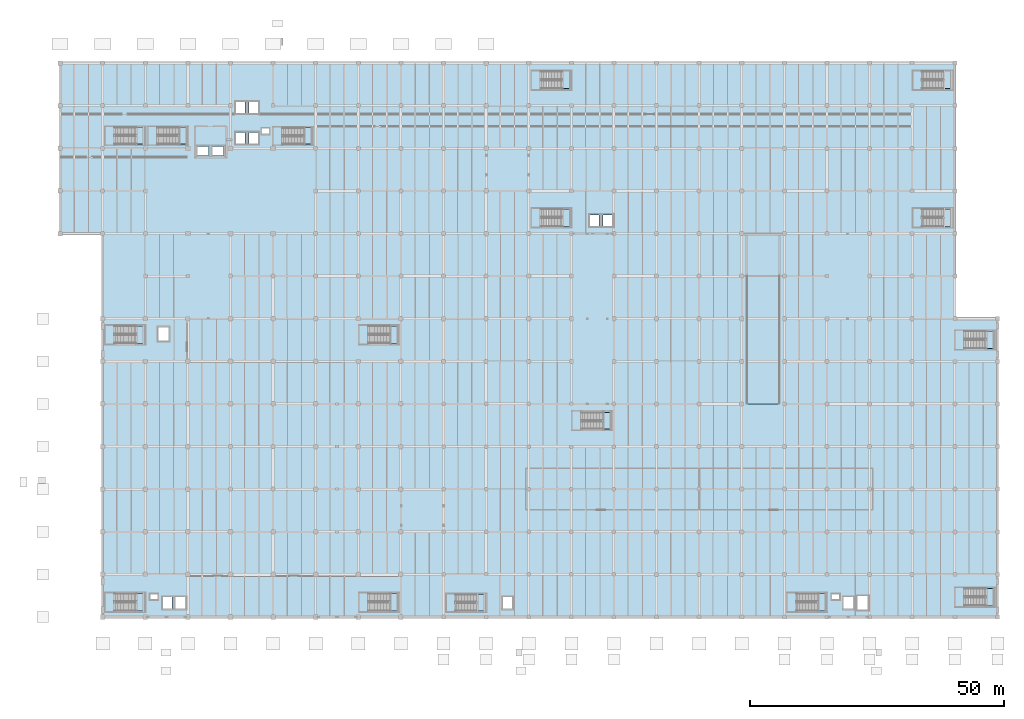
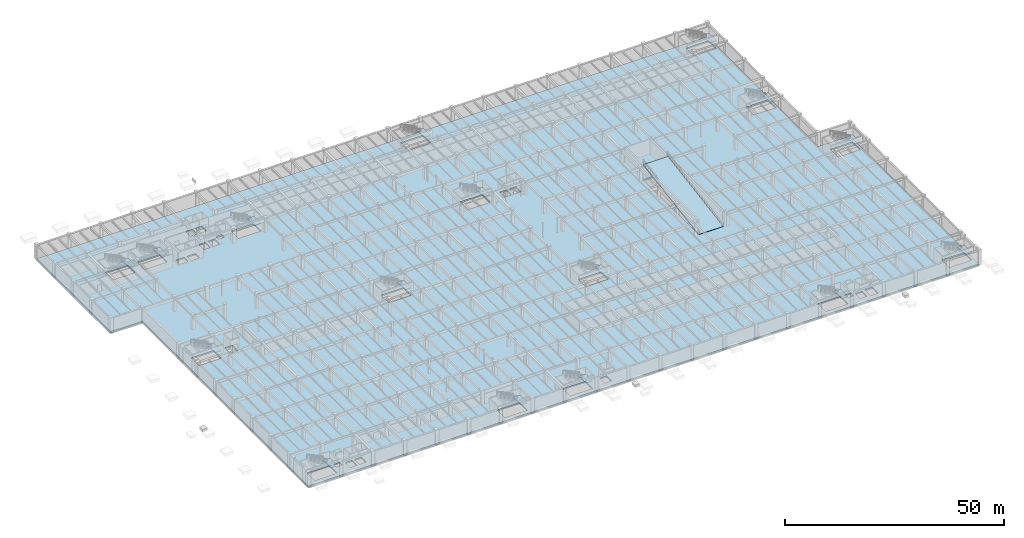
# One storey, part 27 of 63: 18 slabs, 16 elements without a shape of their own.
"""IFC4 building model written with IfcOpenShell, lengths in metres."""

from ifc_helpers import new_model, si_unit, direction, frame, origin, place, context, subcontext, project, spatial, polyline, outline, extrude, material, layer, layer_set, type_object, element, aggregate, save


model = new_model("IFC4")

# Units and contexts
model_context = context("Model", 3, precision=1e-05, world=origin(), true_north=direction((0.0, 1.0)))
body_context = subcontext(model_context, "Body", "Model", "MODEL_VIEW")
ifc_project = project(units=[si_unit("LENGTHUNIT", "METRE"), si_unit("AREAUNIT", "SQUARE_METRE"), si_unit("VOLUMEUNIT", "CUBIC_METRE"), si_unit("PLANEANGLEUNIT", "RADIAN"), si_unit("MASSUNIT", "GRAM", prefix="KILO")], contexts=[model_context])

# Site, building, storey
site_placement = place(None, origin())
site = spatial("IfcSite", under=ifc_project, at=site_placement, CompositionType="ELEMENT")
building_placement = place(site_placement, origin())
building = spatial("IfcBuilding", under=site, at=building_placement, Name="Cumbredor Promenade Congress Hotel", CompositionType="ELEMENT")
storey_placement = place(building_placement, frame((0.0, 0.0, -4.199951171875)))
storey = spatial("IfcBuildingStorey", under=building, at=storey_placement, Name="B01", CompositionType="ELEMENT", Elevation=-4.199951171875)

# Stair, slab
ifc_material = material(Name="Concrete C40/50", Category="concrete")
stair_type_1 = type_object("IfcStairType", Name="Protected Dog-Leg Exit Stair ST-T2 1600mm", PredefinedType="HALF_TURN_STAIR", material=ifc_material)
stair_1_placement = place(storey_placement, origin())
stair_1 = element("IfcStair", 1, at=stair_1_placement, inside=storey, type_object=stair_type_1, Name="B01 Protected Exit Stair ST-01", PredefinedType="HALF_TURN_STAIR")
ifc_layer_1 = layer(ifc_material, 0.199951171875, Name="Concrete C40/50", Category="concrete")
ifc_layer_set_1 = layer_set([ifc_layer_1], Name="Concrete C40/50")
slab_type_1 = type_object("IfcSlabType", Name="Concrete Stair Landing Slab 200mm", PredefinedType="LANDING", material=ifc_layer_set_1)
slab_1_placement = place(storey_placement, frame((0.0, 0.0, 1.89990234375)))
slab_1 = element("IfcSlab", 2, at=slab_1_placement, type_object=slab_type_1, Name="ST-01 landing 1", PredefinedType="LANDING", context=body_context, shape_type="SweptSolid", body=[
    extrude(outline(polyline([(14.949951171875, 101.6201171875), (16.64990234375, 101.6201171875), (16.64990234375, 104.969970703125), (14.949951171875, 104.969970703125), (14.949951171875, 101.6201171875)])), origin(), (0.0, 0.0, 1.0), 0.199951171875),
])
aggregate(stair_1, [slab_1])

stair_2_placement = place(storey_placement, origin())
stair_2 = element("IfcStair", 3, at=stair_2_placement, inside=storey, type_object=stair_type_1, Name="B01 Protected Exit Stair ST-02", PredefinedType="HALF_TURN_STAIR")
slab_2_placement = place(storey_placement, frame((0.0, 0.0, 1.89990234375)))
slab_2 = element("IfcSlab", 4, at=slab_2_placement, type_object=slab_type_1, Name="ST-02 landing 1", PredefinedType="LANDING", context=body_context, shape_type="SweptSolid", body=[
    extrude(outline(polyline([(23.35009765625, 101.6201171875), (25.050048828125, 101.6201171875), (25.050048828125, 104.969970703125), (23.35009765625, 104.969970703125), (23.35009765625, 101.6201171875)])), origin(), (0.0, 0.0, 1.0), 0.199951171875),
])
aggregate(stair_2, [slab_2])

stair_type_2 = type_object("IfcStairType", Name="Protected Dog-Leg Exit Stair ST-T1 1550mm", PredefinedType="HALF_TURN_STAIR", material=ifc_material)
stair_3_placement = place(storey_placement, origin())
stair_3 = element("IfcStair", 5, at=stair_3_placement, inside=storey, type_object=stair_type_2, Name="B01 Protected Exit Stair ST-03", PredefinedType="HALF_TURN_STAIR")
slab_3_placement = place(storey_placement, frame((0.0, 0.0, 1.89990234375)))
slab_3 = element("IfcSlab", 6, at=slab_3_placement, type_object=slab_type_1, Name="ST-03 landing 1", PredefinedType="LANDING", context=body_context, shape_type="SweptSolid", body=[
    extrude(outline(polyline([(48.0, 101.6201171875), (49.699951171875, 101.6201171875), (49.699951171875, 104.8701171875), (48.0, 104.8701171875), (48.0, 101.6201171875)])), origin(), (0.0, 0.0, 1.0), 0.199951171875),
])
aggregate(stair_3, [slab_3])

stair_type_3 = type_object("IfcStairType", Name="Protected Dog-Leg Exit Stair ST-T3 1650mm", PredefinedType="HALF_TURN_STAIR", material=ifc_material)
stair_4_placement = place(storey_placement, origin())
stair_4 = element("IfcStair", 7, at=stair_4_placement, inside=storey, type_object=stair_type_3, Name="B01 Protected Exit Stair ST-04", PredefinedType="HALF_TURN_STAIR")
slab_4_placement = place(storey_placement, frame((0.0, 0.0, 1.89990234375)))
slab_4 = element("IfcSlab", 8, at=slab_4_placement, type_object=slab_type_1, Name="ST-04 landing 1", PredefinedType="LANDING", context=body_context, shape_type="SweptSolid", body=[
    extrude(outline(polyline([(14.949951171875, 9.60009765625), (16.64990234375, 9.60009765625), (16.64990234375, 13.050048828125), (14.949951171875, 13.050048828125), (14.949951171875, 9.60009765625)])), origin(), (0.0, 0.0, 1.0), 0.199951171875),
])
aggregate(stair_4, [slab_4])

stair_5_placement = place(storey_placement, origin())
stair_5 = element("IfcStair", 9, at=stair_5_placement, inside=storey, type_object=stair_type_3, Name="B01 Protected Exit Stair ST-05", PredefinedType="HALF_TURN_STAIR")
slab_5_placement = place(storey_placement, frame((0.0, 0.0, 1.89990234375)))
slab_5 = element("IfcSlab", 10, at=slab_5_placement, type_object=slab_type_1, Name="ST-05 landing 1", PredefinedType="LANDING", context=body_context, shape_type="SweptSolid", body=[
    extrude(outline(polyline([(64.949951171875, 9.60009765625), (66.64990234375, 9.60009765625), (66.64990234375, 13.050048828125), (64.949951171875, 13.050048828125), (64.949951171875, 9.60009765625)])), origin(), (0.0, 0.0, 1.0), 0.199951171875),
])
aggregate(stair_5, [slab_5])

stair_6_placement = place(storey_placement, origin())
stair_6 = element("IfcStair", 11, at=stair_6_placement, inside=storey, type_object=stair_type_3, Name="B01 Protected Exit Stair ST-06", PredefinedType="HALF_TURN_STAIR")
slab_6_placement = place(storey_placement, frame((0.0, 0.0, 1.89990234375)))
slab_6 = element("IfcSlab", 12, at=slab_6_placement, type_object=slab_type_1, Name="ST-06 landing 1", PredefinedType="LANDING", context=body_context, shape_type="SweptSolid", body=[
    extrude(outline(polyline([(14.949951171875, 62.35009765625), (16.64990234375, 62.35009765625), (16.64990234375, 65.800048828125), (14.949951171875, 65.800048828125), (14.949951171875, 62.35009765625)])), origin(), (0.0, 0.0, 1.0), 0.199951171875),
])
aggregate(stair_6, [slab_6])

stair_7_placement = place(storey_placement, origin())
stair_7 = element("IfcStair", 13, at=stair_7_placement, inside=storey, type_object=stair_type_3, Name="B01 Protected Exit Stair ST-07", PredefinedType="HALF_TURN_STAIR")
slab_7_placement = place(storey_placement, frame((0.0, 0.0, 1.89990234375)))
slab_7 = element("IfcSlab", 14, at=slab_7_placement, type_object=slab_type_1, Name="ST-07 landing 1", PredefinedType="LANDING", context=body_context, shape_type="SweptSolid", body=[
    extrude(outline(polyline([(64.949951171875, 62.35009765625), (66.64990234375, 62.35009765625), (66.64990234375, 65.800048828125), (64.949951171875, 65.800048828125), (64.949951171875, 62.35009765625)])), origin(), (0.0, 0.0, 1.0), 0.199951171875),
])
aggregate(stair_7, [slab_7])

stair_8_placement = place(storey_placement, origin())
stair_8 = element("IfcStair", 15, at=stair_8_placement, inside=storey, type_object=stair_type_3, Name="B01 Protected Exit Stair ST-08", PredefinedType="HALF_TURN_STAIR")
slab_8_placement = place(storey_placement, frame((0.0, 0.0, 1.89990234375)))
slab_8 = element("IfcSlab", 16, at=slab_8_placement, type_object=slab_type_1, Name="ST-08 landing 1", PredefinedType="LANDING", context=body_context, shape_type="SweptSolid", body=[
    extrude(outline(polyline([(149.35009765625, 9.60009765625), (151.050048828125, 9.60009765625), (151.050048828125, 13.050048828125), (149.35009765625, 13.050048828125), (149.35009765625, 9.60009765625)])), origin(), (0.0, 0.0, 1.0), 0.199951171875),
])
aggregate(stair_8, [slab_8])

stair_9_placement = place(storey_placement, origin())
stair_9 = element("IfcStair", 17, at=stair_9_placement, inside=storey, type_object=stair_type_3, Name="B01 Protected Exit Stair ST-09", PredefinedType="HALF_TURN_STAIR")
slab_9_placement = place(storey_placement, frame((0.0, 0.0, 1.89990234375)))
slab_9 = element("IfcSlab", 18, at=slab_9_placement, type_object=slab_type_1, Name="ST-09 landing 1", PredefinedType="LANDING", context=body_context, shape_type="SweptSolid", body=[
    extrude(outline(polyline([(182.449951171875, 10.60009765625), (184.14990234375, 10.60009765625), (184.14990234375, 14.050048828125), (182.449951171875, 14.050048828125), (182.449951171875, 10.60009765625)])), origin(), (0.0, 0.0, 1.0), 0.199951171875),
])
aggregate(stair_9, [slab_9])

stair_10_placement = place(storey_placement, origin())
stair_10 = element("IfcStair", 19, at=stair_10_placement, inside=storey, type_object=stair_type_3, Name="B01 Protected Exit Stair ST-10", PredefinedType="HALF_TURN_STAIR")
slab_10_placement = place(storey_placement, frame((0.0, 0.0, 1.89990234375)))
slab_10 = element("IfcSlab", 20, at=slab_10_placement, type_object=slab_type_1, Name="ST-10 landing 1", PredefinedType="LANDING", context=body_context, shape_type="SweptSolid", body=[
    extrude(outline(polyline([(182.449951171875, 61.35009765625), (184.14990234375, 61.35009765625), (184.14990234375, 64.800048828125), (182.449951171875, 64.800048828125), (182.449951171875, 61.35009765625)])), origin(), (0.0, 0.0, 1.0), 0.199951171875),
])
aggregate(stair_10, [slab_10])

stair_11_placement = place(storey_placement, origin())
stair_11 = element("IfcStair", 21, at=stair_11_placement, inside=storey, type_object=stair_type_2, Name="B01 Protected Exit Stair ST-11", PredefinedType="HALF_TURN_STAIR")
slab_11_placement = place(storey_placement, frame((0.0, 0.0, 1.89990234375)))
slab_11 = element("IfcSlab", 22, at=slab_11_placement, type_object=slab_type_1, Name="ST-11 landing 1", PredefinedType="LANDING", context=body_context, shape_type="SweptSolid", body=[
    extrude(outline(polyline([(82.14990234375, 9.60009765625), (83.85009765625, 9.60009765625), (83.85009765625, 12.85009765625), (82.14990234375, 12.85009765625), (82.14990234375, 9.60009765625)])), origin(), (0.0, 0.0, 1.0), 0.199951171875),
])
aggregate(stair_11, [slab_11])

stair_12_placement = place(storey_placement, origin())
stair_12 = element("IfcStair", 23, at=stair_12_placement, inside=storey, type_object=stair_type_2, Name="B01 Protected Exit Stair ST-12", PredefinedType="HALF_TURN_STAIR")
slab_12_placement = place(storey_placement, frame((0.0, 0.0, 1.89990234375)))
slab_12 = element("IfcSlab", 24, at=slab_12_placement, type_object=slab_type_1, Name="ST-12 landing 1", PredefinedType="LANDING", context=body_context, shape_type="SweptSolid", body=[
    extrude(outline(polyline([(106.949951171875, 45.449951171875), (108.64990234375, 45.449951171875), (108.64990234375, 48.699951171875), (106.949951171875, 48.699951171875), (106.949951171875, 45.449951171875)])), origin(), (0.0, 0.0, 1.0), 0.199951171875),
])
aggregate(stair_12, [slab_12])

stair_13_placement = place(storey_placement, origin())
stair_13 = element("IfcStair", 25, at=stair_13_placement, inside=storey, type_object=stair_type_3, Name="B01 Protected Exit Stair ST-13", PredefinedType="HALF_TURN_STAIR")
slab_13_placement = place(storey_placement, frame((0.0, 0.0, 1.89990234375)))
slab_13 = element("IfcSlab", 26, at=slab_13_placement, type_object=slab_type_1, Name="ST-13 landing 1", PredefinedType="LANDING", context=body_context, shape_type="SweptSolid", body=[
    extrude(outline(polyline([(98.949951171875, 85.39990234375), (100.64990234375, 85.39990234375), (100.64990234375, 88.85009765625), (98.949951171875, 88.85009765625), (98.949951171875, 85.39990234375)])), origin(), (0.0, 0.0, 1.0), 0.199951171875),
])
aggregate(stair_13, [slab_13])

stair_14_placement = place(storey_placement, origin())
stair_14 = element("IfcStair", 27, at=stair_14_placement, inside=storey, type_object=stair_type_3, Name="B01 Protected Exit Stair ST-14", PredefinedType="HALF_TURN_STAIR")
slab_14_placement = place(storey_placement, frame((0.0, 0.0, 1.89990234375)))
slab_14 = element("IfcSlab", 28, at=slab_14_placement, type_object=slab_type_1, Name="ST-14 landing 1", PredefinedType="LANDING", context=body_context, shape_type="SweptSolid", body=[
    extrude(outline(polyline([(174.1201171875, 85.39990234375), (175.820068359375, 85.39990234375), (175.820068359375, 88.85009765625), (174.1201171875, 88.85009765625), (174.1201171875, 85.39990234375)])), origin(), (0.0, 0.0, 1.0), 0.199951171875),
])
aggregate(stair_14, [slab_14])

stair_15_placement = place(storey_placement, origin())
stair_15 = element("IfcStair", 29, at=stair_15_placement, inside=storey, type_object=stair_type_3, Name="B01 Protected Exit Stair ST-15", PredefinedType="HALF_TURN_STAIR")
slab_15_placement = place(storey_placement, frame((0.0, 0.0, 1.89990234375)))
slab_15 = element("IfcSlab", 30, at=slab_15_placement, type_object=slab_type_1, Name="ST-15 landing 1", PredefinedType="LANDING", context=body_context, shape_type="SweptSolid", body=[
    extrude(outline(polyline([(98.949951171875, 112.550048828125), (100.64990234375, 112.550048828125), (100.64990234375, 116.0), (98.949951171875, 116.0), (98.949951171875, 112.550048828125)])), origin(), (0.0, 0.0, 1.0), 0.199951171875),
])
aggregate(stair_15, [slab_15])

stair_16_placement = place(storey_placement, origin())
stair_16 = element("IfcStair", 31, at=stair_16_placement, inside=storey, type_object=stair_type_3, Name="B01 Protected Exit Stair ST-16", PredefinedType="HALF_TURN_STAIR")
slab_16_placement = place(storey_placement, frame((0.0, 0.0, 1.89990234375)))
slab_16 = element("IfcSlab", 32, at=slab_16_placement, type_object=slab_type_1, Name="ST-16 landing 1", PredefinedType="LANDING", context=body_context, shape_type="SweptSolid", body=[
    extrude(outline(polyline([(174.1201171875, 112.550048828125), (175.820068359375, 112.550048828125), (175.820068359375, 116.0), (174.1201171875, 116.0), (174.1201171875, 112.550048828125)])), origin(), (0.0, 0.0, 1.0), 0.199951171875),
])
aggregate(stair_16, [slab_16])

# Slabs
ifc_layer_2 = layer(ifc_material, 0.39990234375, Name="Concrete C40/50", Category="concrete")
ifc_layer_set_2 = layer_set([ifc_layer_2], Name="Concrete C40/50")
slab_type_2 = type_object("IfcSlabType", Name="Upper Basement Car Park Slab 400mm", PredefinedType="FLOOR", material=ifc_layer_set_2)
slab_17_placement = place(storey_placement, frame((0.0, 0.0, -0.400146484375)))
element("IfcSlab", 33, at=slab_17_placement, inside=storey, type_object=slab_type_2, Name="Upper Basement B01 Car Park Structural Floor Slab", PredefinedType="FLOOR", context=body_context, shape_type="SweptSolid", body=[
    extrude(outline(polyline([(8.39990234375, 8.39990234375), (184.800048828125, 8.39990234375), (184.800048828125, 67.199951171875), (176.39990234375, 67.199951171875), (176.39990234375, 117.60009765625), (0.0, 117.60009765625), (0.0, 84.0), (8.39990234375, 84.0), (8.39990234375, 8.39990234375)]), holes=[polyline([(10.75, 101.6201171875), (16.64990234375, 101.6201171875), (16.64990234375, 104.969970703125), (10.75, 104.969970703125), (10.75, 101.6201171875)]), polyline([(19.14990234375, 101.6201171875), (25.050048828125, 101.6201171875), (25.050048828125, 104.969970703125), (19.14990234375, 104.969970703125), (19.14990234375, 101.6201171875)]), polyline([(43.800048828125, 101.6201171875), (49.699951171875, 101.6201171875), (49.699951171875, 104.8701171875), (43.800048828125, 104.8701171875), (43.800048828125, 101.6201171875)]), polyline([(10.75, 9.60009765625), (16.64990234375, 9.60009765625), (16.64990234375, 13.050048828125), (10.75, 13.050048828125), (10.75, 9.60009765625)]), polyline([(60.75, 9.60009765625), (66.64990234375, 9.60009765625), (66.64990234375, 13.050048828125), (60.75, 13.050048828125), (60.75, 9.60009765625)]), polyline([(10.75, 62.35009765625), (16.64990234375, 62.35009765625), (16.64990234375, 65.800048828125), (10.75, 65.800048828125), (10.75, 62.35009765625)]), polyline([(60.75, 62.35009765625), (66.64990234375, 62.35009765625), (66.64990234375, 65.800048828125), (60.75, 65.800048828125), (60.75, 62.35009765625)]), polyline([(145.14990234375, 9.60009765625), (151.050048828125, 9.60009765625), (151.050048828125, 13.050048828125), (145.14990234375, 13.050048828125), (145.14990234375, 9.60009765625)]), polyline([(178.25, 10.60009765625), (184.14990234375, 10.60009765625), (184.14990234375, 14.050048828125), (178.25, 14.050048828125), (178.25, 10.60009765625)]), polyline([(178.25, 61.35009765625), (184.14990234375, 61.35009765625), (184.14990234375, 64.800048828125), (178.25, 64.800048828125), (178.25, 61.35009765625)]), polyline([(77.949951171875, 9.60009765625), (83.85009765625, 9.60009765625), (83.85009765625, 12.85009765625), (77.949951171875, 12.85009765625), (77.949951171875, 9.60009765625)]), polyline([(102.75, 45.449951171875), (108.64990234375, 45.449951171875), (108.64990234375, 48.699951171875), (102.75, 48.699951171875), (102.75, 45.449951171875)]), polyline([(94.75, 85.39990234375), (100.64990234375, 85.39990234375), (100.64990234375, 88.85009765625), (94.75, 88.85009765625), (94.75, 85.39990234375)]), polyline([(169.919921875, 85.39990234375), (175.820068359375, 85.39990234375), (175.820068359375, 88.85009765625), (169.919921875, 88.85009765625), (169.919921875, 85.39990234375)]), polyline([(94.75, 112.550048828125), (100.64990234375, 112.550048828125), (100.64990234375, 116.0), (94.75, 116.0), (94.75, 112.550048828125)]), polyline([(169.919921875, 112.550048828125), (175.820068359375, 112.550048828125), (175.820068359375, 116.0), (169.919921875, 116.0), (169.919921875, 112.550048828125)]), polyline([(27.1298828125, 99.39990234375), (29.300048828125, 99.39990234375), (29.300048828125, 101.199951171875), (27.1298828125, 101.199951171875), (27.1298828125, 99.39990234375)]), polyline([(30.10009765625, 99.39990234375), (32.27001953125, 99.39990234375), (32.27001953125, 101.199951171875), (30.10009765625, 101.199951171875), (30.10009765625, 99.39990234375)]), polyline([(34.699951171875, 107.75), (36.5, 107.75), (36.5, 109.949951171875), (34.699951171875, 109.949951171875), (34.699951171875, 107.75)]), polyline([(37.199951171875, 107.75), (39.0, 107.75), (39.0, 109.949951171875), (37.199951171875, 109.949951171875), (37.199951171875, 107.75)]), polyline([(34.699951171875, 101.75), (36.5, 101.75), (36.5, 103.949951171875), (34.699951171875, 103.949951171875), (34.699951171875, 101.75)]), polyline([(37.199951171875, 101.75), (39.0, 101.75), (39.0, 103.949951171875), (37.199951171875, 103.949951171875), (37.199951171875, 101.75)]), polyline([(20.300048828125, 10.10009765625), (22.10009765625, 10.10009765625), (22.10009765625, 12.300048828125), (20.300048828125, 12.300048828125), (20.300048828125, 10.10009765625)]), polyline([(22.800048828125, 10.10009765625), (24.60009765625, 10.10009765625), (24.60009765625, 12.300048828125), (22.800048828125, 12.300048828125), (22.800048828125, 10.10009765625)]), polyline([(19.39990234375, 62.89990234375), (21.39990234375, 62.89990234375), (21.39990234375, 65.5), (19.39990234375, 65.5), (19.39990234375, 62.89990234375)]), polyline([(154.5, 10.10009765625), (156.300048828125, 10.10009765625), (156.300048828125, 12.300048828125), (154.5, 12.300048828125), (154.5, 10.10009765625)]), polyline([(157.199951171875, 9.89990234375), (159.199951171875, 9.89990234375), (159.199951171875, 12.5), (157.199951171875, 12.5), (157.199951171875, 9.89990234375)]), polyline([(87.300048828125, 10.10009765625), (89.10009765625, 10.10009765625), (89.10009765625, 12.300048828125), (87.300048828125, 12.300048828125), (87.300048828125, 10.10009765625)]), polyline([(104.5, 85.5), (106.300048828125, 85.5), (106.300048828125, 87.699951171875), (104.5, 87.699951171875), (104.5, 85.5)]), polyline([(107.0, 85.5), (108.800048828125, 85.5), (108.800048828125, 87.699951171875), (107.0, 87.699951171875), (107.0, 85.5)]), polyline([(39.699951171875, 103.60009765625), (41.300048828125, 103.60009765625), (41.300048828125, 104.800048828125), (39.699951171875, 104.800048828125), (39.699951171875, 103.60009765625)]), polyline([(17.699951171875, 11.800048828125), (19.300048828125, 11.800048828125), (19.300048828125, 13.0), (17.699951171875, 13.0), (17.699951171875, 11.800048828125)]), polyline([(152.10009765625, 11.800048828125), (153.699951171875, 11.800048828125), (153.699951171875, 13.0), (152.10009765625, 13.0), (152.10009765625, 11.800048828125)]), polyline([(135.35009765625, 50.39990234375), (141.85009765625, 50.39990234375), (141.85009765625, 75.64990234375), (135.35009765625, 75.64990234375), (135.35009765625, 50.39990234375)])]), origin(), (0.0, 0.0, 1.0), 0.400146484375),
])
ifc_layer_3 = layer(ifc_material, 0.27490234375, Name="Concrete C40/50", Category="concrete")
ifc_layer_set_3 = layer_set([ifc_layer_3], Name="Concrete C40/50")
slab_type_3 = type_object("IfcSlabType", Name="Vehicle Ramp Structural Slab 275mm", PredefinedType="USERDEFINED", material=ifc_layer_set_3)
slab_18_placement = place(storey_placement, frame((135.35009765625, 50.449951171875, 0.0), z_axis=(0.0, -0.164397437631, 0.98639418211), x_axis=(1.0, 0.0, 0.0)))
element("IfcSlab", 34, at=slab_18_placement, inside=storey, type_object=slab_type_3, Name="B01 to L00 Vehicle Ramp VR-01 Structural Waist Slab 275mm", ObjectType="RAMP SLAB", PredefinedType="USERDEFINED", context=body_context, shape_type="SweptSolid", body=[
    extrude(outline(polyline([(0.0, 0.0), (6.5, 0.0), (6.5, 25.547546436223936), (0.0, 25.547546436223936), (0.0, 0.0)])), origin(), (0.0, 0.0, -1.0), 0.27490234375),
])

save(model, "model.ifc")
